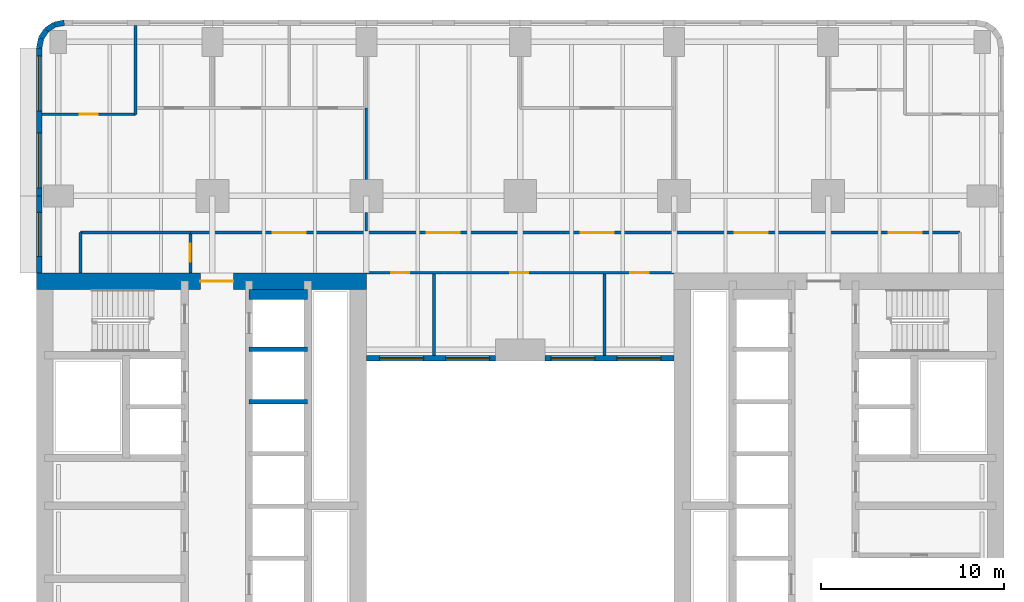
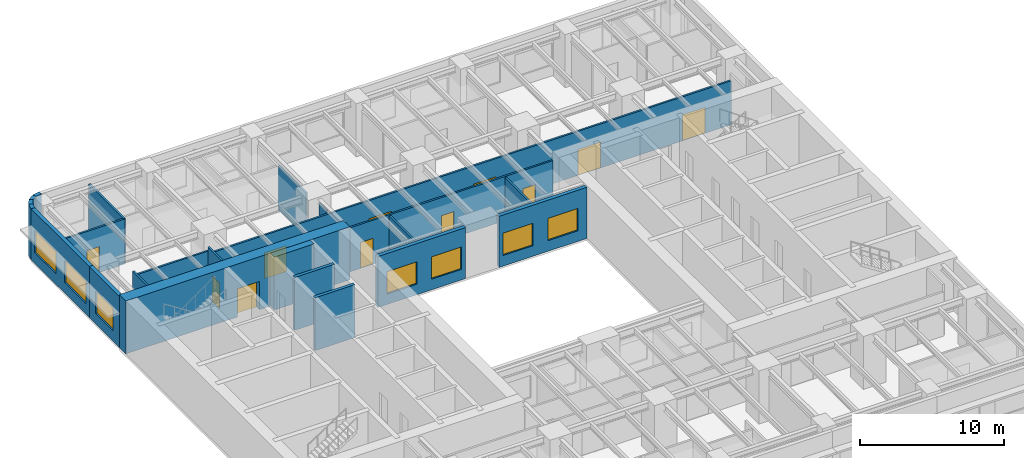
# One storey, part 6 of 12: 23 walls, 11 doors, 7 windows, 18 openings.
"""IFC4 building model written with IfcOpenShell, lengths in metres."""

from ifc_helpers import new_model, si_unit, direction, frame, frame_2d, origin, place, context, subcontext, project, spatial, rectangle, extrude, material, layer, layer_set, type_object, element, fill, save


model = new_model("IFC4")

# Units and contexts
model_context = context("Model", 3, precision=1e-05, world=origin(), true_north=direction((0.0, 1.0)))
body_context = subcontext(model_context, "Body", "Model", "MODEL_VIEW")
ifc_project = project(units=[si_unit("LENGTHUNIT", "METRE"), si_unit("AREAUNIT", "SQUARE_METRE"), si_unit("VOLUMEUNIT", "CUBIC_METRE"), si_unit("PLANEANGLEUNIT", "RADIAN"), si_unit("MASSUNIT", "GRAM", prefix="KILO")], contexts=[model_context])

# Site, building, storey
site_placement = place(None, origin())
site = spatial("IfcSite", under=ifc_project, at=site_placement, CompositionType="ELEMENT")
building_placement = place(site_placement, origin())
building = spatial("IfcBuilding", under=site, at=building_placement, Name="Claustro Exchange Tower", CompositionType="ELEMENT")
storey_placement = place(building_placement, frame((0.0, 0.0, 81.89990234375)))
storey = spatial("IfcBuildingStorey", under=building, at=storey_placement, Name="L18", CompositionType="ELEMENT", Elevation=81.89990234375)

# Wall, opening, door
ifc_material_1 = material(Name="Gypsum board on steel studs", Category="steel")
ifc_layer_1 = layer(ifc_material_1, 0.14990234375)
ifc_layer_set_1 = layer_set([ifc_layer_1], Name="Gypsum board on steel studs")
wall_type_1 = type_object("IfcWallType", Name="P1 150 plasterboard partition", PredefinedType="PARTITIONING", material=ifc_layer_set_1)
wall_1_placement = place(storey_placement, frame((-0.902099609375, 46.449951171875, 0.0), z_axis=(0.0, 0.0, 1.0), x_axis=(1.0, 0.0, 0.0)))
wall_1 = element("IfcWall", 1, at=wall_1_placement, inside=storey, type_object=wall_type_1, Name="Partition P1 L18", PredefinedType="PARTITIONING", context=body_context, shape_type="SweptSolid", body=[
    extrude(rectangle(XDim=5.10205078125, YDim=0.14990234375, at=frame_2d((2.551025390625, 0.0))), origin(), (0.0, 0.0, 1.0), 3.840087890625),
])
opening_1_placement = place(wall_1_placement, frame((2.052001953125, 0.0, 0.0)))
opening_1 = element("IfcOpeningElement", 2, at=opening_1_placement, cuts=wall_1, Name="Opening D1", PredefinedType="OPENING", context=body_context, shape_type="SweptSolid", body=[
    extrude(rectangle(XDim=1.0, YDim=2.199951171875, at=frame_2d((0.5, 1.10009765625))), frame((0.0, 0.0849609375, 0.0), z_axis=(0.0, -1.0, 0.0), x_axis=(1.0, 0.0, 0.0)), (0.0, 0.0, 1.0), 0.169921875),
])
ifc_material_2 = material(Name="Timber door, oak veneer", Category="wood")
door_type_1 = type_object("IfcDoorType", Name="D1 1000 x 2200 single door", OperationType="SINGLE_SWING_LEFT", PredefinedType="DOOR", material=ifc_material_2)
door_1_placement = place(opening_1_placement, origin())
door_1 = element("IfcDoor", 3, at=door_1_placement, inside=storey, type_object=door_type_1, Name="Door D1 L18", OperationType="SINGLE_SWING_RIGHT", OverallHeight=2.199951171875, OverallWidth=1.0, PredefinedType="DOOR", context=body_context, shape_type="SweptSolid", body=[
    extrude(rectangle(XDim=1.0, YDim=2.199951171875, at=frame_2d((0.5, 1.10009765625))), frame((0.0, 0.02490234375, 0.0), z_axis=(0.0, -1.0, 0.0), x_axis=(1.0, 0.0, 0.0)), (0.0, 0.0, 1.0), 0.050048828125),
])
fill(opening_1, door_1)

# Walls
wall_2_placement = place(storey_placement, frame((4.199951171875, 46.449951171875, 0.0), z_axis=(0.0, 0.0, 1.0), x_axis=(0.0, 1.0, 0.0)))
element("IfcWall", 4, at=wall_2_placement, inside=storey, type_object=wall_type_1, Name="Partition P1 L18", PredefinedType="PARTITIONING", context=body_context, shape_type="SweptSolid", body=[
    extrude(rectangle(XDim=4.85205078125, YDim=0.14990234375, at=frame_2d((2.426025390625, 0.0))), origin(), (0.0, 0.0, 1.0), 3.840087890625),
])
wall_3_placement = place(storey_placement, frame((16.800048828125, 40.073974609375, 0.0), z_axis=(0.0, 0.0, 1.0), x_axis=(0.0, 1.0, 0.0)))
element("IfcWall", 5, at=wall_3_placement, inside=storey, type_object=wall_type_1, Name="Partition P1 L18", PredefinedType="PARTITIONING", context=body_context, shape_type="SweptSolid", body=[
    extrude(rectangle(XDim=1.027099609375, YDim=0.14990234375, at=frame_2d((0.513671875, 0.0))), origin(), (0.0, 0.0, 1.0), 3.97998046875),
])
wall_4_placement = place(storey_placement, frame((16.800048828125, 42.89892578125, 0.0), z_axis=(0.0, 0.0, 1.0), x_axis=(0.0, 1.0, 0.0)))
element("IfcWall", 6, at=wall_4_placement, inside=storey, type_object=wall_type_1, Name="Partition P1 L18", PredefinedType="PARTITIONING", context=body_context, shape_type="SweptSolid", body=[
    extrude(rectangle(XDim=3.903076171875, YDim=0.14990234375, at=frame_2d((1.95166015625, 0.0))), origin(), (0.0, 0.0, 1.0), 3.739990234375),
])

# Wall, openings, doors
wall_5_placement = place(storey_placement, frame((7.197998046875, 40.0, 0.0), z_axis=(0.0, 0.0, 1.0), x_axis=(1.0, 0.0, 0.0)))
wall_5 = element("IfcWall", 7, at=wall_5_placement, inside=storey, type_object=wall_type_1, Name="Partition P1 L18", PredefinedType="PARTITIONING", context=body_context, shape_type="SweptSolid", body=[
    extrude(rectangle(XDim=42.001953125, YDim=0.14990234375, at=frame_2d((21.0009765625, 0.0))), origin(), (0.0, 0.0, 1.0), 3.739990234375),
])
opening_2_placement = place(wall_5_placement, frame((4.501953125, 0.0, 0.0)))
opening_2 = element("IfcOpeningElement", 8, at=opening_2_placement, cuts=wall_5, Name="Opening D2", PredefinedType="OPENING", context=body_context, shape_type="SweptSolid", body=[
    extrude(rectangle(XDim=1.800048828125, YDim=2.199951171875, at=frame_2d((0.89990234375, 1.10009765625))), frame((0.0, 0.0849609375, 0.0), z_axis=(0.0, -1.0, 0.0), x_axis=(1.0, 0.0, 0.0)), (0.0, 0.0, 1.0), 0.169921875),
])
opening_3_placement = place(wall_5_placement, frame((12.902099609375, 0.0, 0.0)))
opening_3 = element("IfcOpeningElement", 9, at=opening_3_placement, cuts=wall_5, Name="Opening D2", PredefinedType="OPENING", context=body_context, shape_type="SweptSolid", body=[
    extrude(rectangle(XDim=1.800048828125, YDim=2.199951171875, at=frame_2d((0.89990234375, 1.10009765625))), frame((0.0, 0.0849609375, 0.0), z_axis=(0.0, -1.0, 0.0), x_axis=(1.0, 0.0, 0.0)), (0.0, 0.0, 1.0), 0.169921875),
])
opening_4_placement = place(wall_5_placement, frame((21.302001953125, 0.0, 0.0)))
opening_4 = element("IfcOpeningElement", 10, at=opening_4_placement, cuts=wall_5, Name="Opening D2", PredefinedType="OPENING", context=body_context, shape_type="SweptSolid", body=[
    extrude(rectangle(XDim=1.800048828125, YDim=2.199951171875, at=frame_2d((0.89990234375, 1.10009765625))), frame((0.0, 0.0849609375, 0.0), z_axis=(0.0, -1.0, 0.0), x_axis=(1.0, 0.0, 0.0)), (0.0, 0.0, 1.0), 0.169921875),
])
opening_5_placement = place(wall_5_placement, frame((29.701904296875, 0.0, 0.0)))
opening_5 = element("IfcOpeningElement", 11, at=opening_5_placement, cuts=wall_5, Name="Opening D2", PredefinedType="OPENING", context=body_context, shape_type="SweptSolid", body=[
    extrude(rectangle(XDim=1.800048828125, YDim=2.199951171875, at=frame_2d((0.89990234375, 1.10009765625))), frame((0.0, 0.0849609375, 0.0), z_axis=(0.0, -1.0, 0.0), x_axis=(1.0, 0.0, 0.0)), (0.0, 0.0, 1.0), 0.169921875),
])
opening_6_placement = place(wall_5_placement, frame((38.10205078125, 0.0, 0.0)))
opening_6 = element("IfcOpeningElement", 12, at=opening_6_placement, cuts=wall_5, Name="Opening D2", PredefinedType="OPENING", context=body_context, shape_type="SweptSolid", body=[
    extrude(rectangle(XDim=1.800048828125, YDim=2.199951171875, at=frame_2d((0.89990234375, 1.10009765625))), frame((0.0, 0.0849609375, 0.0), z_axis=(0.0, -1.0, 0.0), x_axis=(1.0, 0.0, 0.0)), (0.0, 0.0, 1.0), 0.169921875),
])
ifc_material_3 = material(Name="Timber door, oak veneer", Category="wood")
door_type_2 = type_object("IfcDoorType", Name="D2 1800 x 2200 double door", OperationType="DOUBLE_DOOR_SINGLE_SWING", PredefinedType="DOOR", material=ifc_material_3)
door_2_placement = place(opening_2_placement, origin())
door_2 = element("IfcDoor", 13, at=door_2_placement, inside=storey, type_object=door_type_2, Name="Double door D2 L18", OperationType="DOUBLE_DOOR_SINGLE_SWING", OverallHeight=2.199951171875, OverallWidth=1.800048828125, PredefinedType="DOOR", context=body_context, shape_type="SweptSolid", body=[
    extrude(rectangle(XDim=1.800048828125, YDim=2.199951171875, at=frame_2d((0.89990234375, 1.10009765625))), frame((0.0, 0.02490234375, 0.0), z_axis=(0.0, -1.0, 0.0), x_axis=(1.0, 0.0, 0.0)), (0.0, 0.0, 1.0), 0.050048828125),
])
fill(opening_2, door_2)
door_3_placement = place(opening_3_placement, origin())
door_3 = element("IfcDoor", 14, at=door_3_placement, inside=storey, type_object=door_type_2, Name="Double door D2 L18", OperationType="DOUBLE_DOOR_SINGLE_SWING", OverallHeight=2.199951171875, OverallWidth=1.800048828125, PredefinedType="DOOR", context=body_context, shape_type="SweptSolid", body=[
    extrude(rectangle(XDim=1.800048828125, YDim=2.199951171875, at=frame_2d((0.89990234375, 1.10009765625))), frame((0.0, 0.02490234375, 0.0), z_axis=(0.0, -1.0, 0.0), x_axis=(1.0, 0.0, 0.0)), (0.0, 0.0, 1.0), 0.050048828125),
])
fill(opening_3, door_3)
door_4_placement = place(opening_4_placement, origin())
door_4 = element("IfcDoor", 15, at=door_4_placement, inside=storey, type_object=door_type_2, Name="Double door D2 L18", OperationType="DOUBLE_DOOR_SINGLE_SWING", OverallHeight=2.199951171875, OverallWidth=1.800048828125, PredefinedType="DOOR", context=body_context, shape_type="SweptSolid", body=[
    extrude(rectangle(XDim=1.800048828125, YDim=2.199951171875, at=frame_2d((0.89990234375, 1.10009765625))), frame((0.0, 0.02490234375, 0.0), z_axis=(0.0, -1.0, 0.0), x_axis=(1.0, 0.0, 0.0)), (0.0, 0.0, 1.0), 0.050048828125),
])
fill(opening_4, door_4)
door_5_placement = place(opening_5_placement, origin())
door_5 = element("IfcDoor", 16, at=door_5_placement, inside=storey, type_object=door_type_2, Name="Double door D2 L18", OperationType="DOUBLE_DOOR_SINGLE_SWING", OverallHeight=2.199951171875, OverallWidth=1.800048828125, PredefinedType="DOOR", context=body_context, shape_type="SweptSolid", body=[
    extrude(rectangle(XDim=1.800048828125, YDim=2.199951171875, at=frame_2d((0.89990234375, 1.10009765625))), frame((0.0, 0.02490234375, 0.0), z_axis=(0.0, -1.0, 0.0), x_axis=(1.0, 0.0, 0.0)), (0.0, 0.0, 1.0), 0.050048828125),
])
fill(opening_5, door_5)
door_6_placement = place(opening_6_placement, origin())
door_6 = element("IfcDoor", 17, at=door_6_placement, inside=storey, type_object=door_type_2, Name="Double door D2 L18", OperationType="DOUBLE_DOOR_SINGLE_SWING", OverallHeight=2.199951171875, OverallWidth=1.800048828125, PredefinedType="DOOR", context=body_context, shape_type="SweptSolid", body=[
    extrude(rectangle(XDim=1.800048828125, YDim=2.199951171875, at=frame_2d((0.89990234375, 1.10009765625))), frame((0.0, 0.02490234375, 0.0), z_axis=(0.0, -1.0, 0.0), x_axis=(1.0, 0.0, 0.0)), (0.0, 0.0, 1.0), 0.050048828125),
])
fill(opening_6, door_6)

# Wall, opening, door
wall_6_placement = place(storey_placement, frame((7.199951171875, 37.800048828125, 0.0), z_axis=(0.0, 0.0, 1.0), x_axis=(0.0, 1.0, 0.0)))
wall_6 = element("IfcWall", 18, at=wall_6_placement, inside=storey, type_object=wall_type_1, Name="Partition P1 L18", PredefinedType="PARTITIONING", context=body_context, shape_type="SweptSolid", body=[
    extrude(rectangle(XDim=2.1259765625, YDim=0.14990234375, at=frame_2d((1.06298828125, 0.0))), origin(), (0.0, 0.0, 1.0), 4.340087890625),
])
opening_7_placement = place(wall_6_placement, frame((0.60009765625, 0.0, 0.0)))
opening_7 = element("IfcOpeningElement", 19, at=opening_7_placement, cuts=wall_6, Name="Opening D1", PredefinedType="OPENING", context=body_context, shape_type="SweptSolid", body=[
    extrude(rectangle(XDim=1.0, YDim=2.199951171875, at=frame_2d((0.5, 1.10009765625))), frame((0.0, 0.0849609375, 0.0), z_axis=(0.0, -1.0, 0.0), x_axis=(1.0, 0.0, 0.0)), (0.0, 0.0, 1.0), 0.169921875),
])
door_7_placement = place(opening_7_placement, origin())
door_7 = element("IfcDoor", 20, at=door_7_placement, inside=storey, type_object=door_type_1, Name="Door D1 L18", OperationType="SINGLE_SWING_LEFT", OverallHeight=2.199951171875, OverallWidth=1.0, PredefinedType="DOOR", context=body_context, shape_type="SweptSolid", body=[
    extrude(rectangle(XDim=1.0, YDim=2.199951171875, at=frame_2d((0.5, 1.10009765625))), frame((0.0, 0.02490234375, 0.0), z_axis=(0.0, -1.0, 0.0), x_axis=(1.0, 0.0, 0.0)), (0.0, 0.0, 1.0), 0.050048828125),
])
fill(opening_7, door_7)

# Walls
wall_7_placement = place(storey_placement, frame((1.199951171875, 40.0, 0.0), z_axis=(0.0, 0.0, 1.0), x_axis=(1.0, 0.0, 0.0)))
element("IfcWall", 21, at=wall_7_placement, inside=storey, type_object=wall_type_1, Name="Partition P1 L18", PredefinedType="PARTITIONING", context=body_context, shape_type="SweptSolid", body=[
    extrude(rectangle(XDim=6.001953125, YDim=0.14990234375, at=frame_2d((3.0009765625, 0.0))), origin(), (0.0, 0.0, 1.0), 3.97998046875),
])
wall_8_placement = place(storey_placement, frame((1.199951171875, 37.800048828125, 0.0), z_axis=(0.0, 0.0, 1.0), x_axis=(0.0, 1.0, 0.0)))
element("IfcWall", 22, at=wall_8_placement, inside=storey, type_object=wall_type_1, Name="Partition P1 L18", PredefinedType="PARTITIONING", context=body_context, shape_type="SweptSolid", body=[
    extrude(rectangle(XDim=2.199951171875, YDim=0.14990234375, at=frame_2d((1.10009765625, 0.0))), origin(), (0.0, 0.0, 1.0), 4.340087890625),
])
for number, where, z_axis, x_axis, name in (
    (23, (20.5, 33.298095703125, 0.0), (0.0, 0.0, 1.0), (0.0, 1.0, 0.0), "Partition P1 L18"),
    (24, (29.800048828125, 33.298095703125, 0.0), (0.0, 0.0, 1.0), (0.0, 1.0, 0.0), "Partition P1 L18"),
):
    element("IfcWall", number, at=place(storey_placement, frame(where, z_axis=z_axis, x_axis=x_axis)), inside=storey, type_object=wall_type_1, Name=name, PredefinedType="PARTITIONING", context=body_context, shape_type="SweptSolid", body=[
        extrude(rectangle(XDim=4.427978515625, YDim=0.14990234375, at=frame_2d((2.2138671875, 0.0))), origin(), (0.0, 0.0, 1.0), 3.650146484375),
    ])

# Wall, openings, doors
wall_9_placement = place(storey_placement, frame((16.798095703125, 37.800048828125, 0.0), z_axis=(0.0, 0.0, 1.0), x_axis=(1.0, 0.0, 0.0)))
wall_9 = element("IfcWall", 25, at=wall_9_placement, inside=storey, type_object=wall_type_1, Name="Partition P1 L18", PredefinedType="PARTITIONING", context=body_context, shape_type="SweptSolid", body=[
    extrude(rectangle(XDim=16.803955078125, YDim=0.14990234375, at=frame_2d((8.40185546875, 0.0))), origin(), (0.0, 0.0, 1.0), 3.739990234375),
])
opening_8_placement = place(wall_9_placement, frame((1.35205078125, 0.0, 0.0)))
opening_8 = element("IfcOpeningElement", 26, at=opening_8_placement, cuts=wall_9, Name="Opening D1", PredefinedType="OPENING", context=body_context, shape_type="SweptSolid", body=[
    extrude(rectangle(XDim=1.0, YDim=2.199951171875, at=frame_2d((0.5, 1.10009765625))), frame((0.0, 0.0849609375, 0.0), z_axis=(0.0, -1.0, 0.0), x_axis=(1.0, 0.0, 0.0)), (0.0, 0.0, 1.0), 0.169921875),
])
opening_9_placement = place(wall_9_placement, frame((7.85205078125, 0.0, 0.0)))
opening_9 = element("IfcOpeningElement", 27, at=opening_9_placement, cuts=wall_9, Name="Opening D1", PredefinedType="OPENING", context=body_context, shape_type="SweptSolid", body=[
    extrude(rectangle(XDim=1.0, YDim=2.199951171875, at=frame_2d((0.5, 1.10009765625))), frame((0.0, 0.0849609375, 0.0), z_axis=(0.0, -1.0, 0.0), x_axis=(1.0, 0.0, 0.0)), (0.0, 0.0, 1.0), 0.169921875),
])
opening_10_placement = place(wall_9_placement, frame((14.402099609375, 0.0, 0.0)))
opening_10 = element("IfcOpeningElement", 28, at=opening_10_placement, cuts=wall_9, Name="Opening D1", PredefinedType="OPENING", context=body_context, shape_type="SweptSolid", body=[
    extrude(rectangle(XDim=1.0, YDim=2.199951171875, at=frame_2d((0.5, 1.10009765625))), frame((0.0, 0.0849609375, 0.0), z_axis=(0.0, -1.0, 0.0), x_axis=(1.0, 0.0, 0.0)), (0.0, 0.0, 1.0), 0.169921875),
])
door_8_placement = place(opening_8_placement, frame((1.0, 0.0, 0.0), z_axis=(0.0, 0.0, 1.0), x_axis=(-1.0, 0.0, 0.0)))
door_8 = element("IfcDoor", 29, at=door_8_placement, inside=storey, type_object=door_type_1, Name="Door D1 L18", OperationType="SINGLE_SWING_RIGHT", OverallHeight=2.199951171875, OverallWidth=1.0, PredefinedType="DOOR", context=body_context, shape_type="SweptSolid", body=[
    extrude(rectangle(XDim=1.0, YDim=2.199951171875, at=frame_2d((0.5, 1.10009765625))), frame((0.0, 0.02490234375, 0.0), z_axis=(0.0, -1.0, 0.0), x_axis=(1.0, 0.0, 0.0)), (0.0, 0.0, 1.0), 0.050048828125),
])
fill(opening_8, door_8)
door_9_placement = place(opening_9_placement, frame((1.0, 0.0, 0.0), z_axis=(0.0, 0.0, 1.0), x_axis=(-1.0, 0.0, 0.0)))
door_9 = element("IfcDoor", 30, at=door_9_placement, inside=storey, type_object=door_type_1, Name="Door D1 L18", OperationType="SINGLE_SWING_RIGHT", OverallHeight=2.199951171875, OverallWidth=1.0, PredefinedType="DOOR", context=body_context, shape_type="SweptSolid", body=[
    extrude(rectangle(XDim=1.0, YDim=2.199951171875, at=frame_2d((0.5, 1.10009765625))), frame((0.0, 0.02490234375, 0.0), z_axis=(0.0, -1.0, 0.0), x_axis=(1.0, 0.0, 0.0)), (0.0, 0.0, 1.0), 0.050048828125),
])
fill(opening_9, door_9)
door_10_placement = place(opening_10_placement, frame((1.0, 0.0, 0.0), z_axis=(0.0, 0.0, 1.0), x_axis=(-1.0, 0.0, 0.0)))
door_10 = element("IfcDoor", 31, at=door_10_placement, inside=storey, type_object=door_type_1, Name="Door D1 L18", OperationType="SINGLE_SWING_RIGHT", OverallHeight=2.199951171875, OverallWidth=1.0, PredefinedType="DOOR", context=body_context, shape_type="SweptSolid", body=[
    extrude(rectangle(XDim=1.0, YDim=2.199951171875, at=frame_2d((0.5, 1.10009765625))), frame((0.0, 0.02490234375, 0.0), z_axis=(0.0, -1.0, 0.0), x_axis=(1.0, 0.0, 0.0)), (0.0, 0.0, 1.0), 0.050048828125),
])
fill(opening_10, door_10)

# Wall, opening, window
ifc_material_4 = material(Name="Concrete HA-40 (C40/50), precast, white cement, acid-etched", Category="concrete")
ifc_layer_2 = layer(ifc_material_4, 0.300048828125)
ifc_layer_set_2 = layer_set([ifc_layer_2], Name="Concrete HA-40 (C40/50), precast, white cement, acid-etched")
wall_type_2 = type_object("IfcWallType", Name="PC1 300 precast concrete pier panel", PredefinedType="SOLIDWALL", material=ifc_layer_set_2)
wall_10_placement = place(storey_placement, frame((-1.050048828125, 37.800048828125, 0.0), z_axis=(0.0, 0.0, 1.0), x_axis=(0.0, 1.0, 0.0)))
wall_10 = element("IfcWall", 32, at=wall_10_placement, inside=storey, type_object=wall_type_2, Name="Precast pier panel PC1 L18", PredefinedType="SOLIDWALL", context=body_context, shape_type="SweptSolid", body=[
    extrude(rectangle(XDim=4.199951171875, YDim=0.300048828125, at=frame_2d((2.10009765625, 0.0))), origin(), (0.0, 0.0, 1.0), 4.340087890625),
])
opening_11_placement = place(wall_10_placement, frame((0.89990234375, 0.0, 0.89990234375)))
opening_11 = element("IfcOpeningElement", 33, at=opening_11_placement, cuts=wall_10, Name="Opening W2", PredefinedType="OPENING", context=body_context, shape_type="SweptSolid", body=[
    extrude(rectangle(XDim=2.39990234375, YDim=1.89990234375, at=frame_2d((1.199951171875, 0.949951171875))), frame((0.0, 0.159912109375, 0.0), z_axis=(0.0, -1.0, 0.0), x_axis=(1.0, 0.0, 0.0)), (0.0, 0.0, 1.0), 0.320068359375),
])
ifc_material_5 = material(Name="Aluminium frame, clear double glazing", Category="aluminium")
window_type_1 = type_object("IfcWindowType", Name="W2 2400 x 1900 window", PartitioningType="SINGLE_PANEL", PredefinedType="WINDOW", material=ifc_material_5)
window_1_placement = place(opening_11_placement, origin())
window_1 = element("IfcWindow", 34, at=window_1_placement, inside=storey, type_object=window_type_1, Name="Window W2 L18", OverallHeight=1.89990234375, OverallWidth=2.39990234375, PartitioningType="SINGLE_PANEL", PredefinedType="WINDOW", context=body_context, shape_type="SweptSolid", body=[
    extrude(rectangle(XDim=2.39990234375, YDim=1.89990234375, at=frame_2d((1.199951171875, 0.949951171875))), frame((0.0, 0.030029296875, 0.0), z_axis=(0.0, -1.0, 0.0), x_axis=(1.0, 0.0, 0.0)), (0.0, 0.0, 1.0), 0.06005859375),
])
fill(opening_11, window_1)

# Wall, openings, windows
wall_11_placement = place(storey_placement, frame((-1.050048828125, 42.0, 0.0), z_axis=(0.0, 0.0, 1.0), x_axis=(0.0, 1.0, 0.0)))
wall_11 = element("IfcWall", 35, at=wall_11_placement, inside=storey, type_object=wall_type_2, Name="Precast pier panel PC1 L18", PredefinedType="SOLIDWALL", context=body_context, shape_type="SweptSolid", body=[
    extrude(rectangle(XDim=8.085205078125, YDim=0.300048828125, at=frame_2d((4.04248046875, 0.0))), origin(), (0.0, 0.0, 1.0), 4.340087890625),
])
opening_12_placement = place(wall_11_placement, frame((0.442626953125, 0.0, 0.89990234375)))
opening_12 = element("IfcOpeningElement", 36, at=opening_12_placement, cuts=wall_11, Name="Opening W1", PredefinedType="OPENING", context=body_context, shape_type="SweptSolid", body=[
    extrude(rectangle(XDim=3.0, YDim=1.89990234375, at=frame_2d((1.5, 0.949951171875))), frame((0.0, 0.159912109375, 0.0), z_axis=(0.0, -1.0, 0.0), x_axis=(1.0, 0.0, 0.0)), (0.0, 0.0, 1.0), 0.320068359375),
])
opening_13_placement = place(wall_11_placement, frame((4.642578125, 0.0, 0.89990234375)))
opening_13 = element("IfcOpeningElement", 37, at=opening_13_placement, cuts=wall_11, Name="Opening W1", PredefinedType="OPENING", context=body_context, shape_type="SweptSolid", body=[
    extrude(rectangle(XDim=3.0, YDim=1.89990234375, at=frame_2d((1.5, 0.949951171875))), frame((0.0, 0.159912109375, 0.0), z_axis=(0.0, -1.0, 0.0), x_axis=(1.0, 0.0, 0.0)), (0.0, 0.0, 1.0), 0.320068359375),
])
ifc_material_6 = material(Name="Aluminium frame, clear double glazing", Category="aluminium")
window_type_2 = type_object("IfcWindowType", Name="W1 3000 x 1900 window", PartitioningType="SINGLE_PANEL", PredefinedType="WINDOW", material=ifc_material_6)
window_2_placement = place(opening_12_placement, origin())
window_2 = element("IfcWindow", 38, at=window_2_placement, inside=storey, type_object=window_type_2, Name="Window W1 L18", OverallHeight=1.89990234375, OverallWidth=3.0, PartitioningType="SINGLE_PANEL", PredefinedType="WINDOW", context=body_context, shape_type="SweptSolid", body=[
    extrude(rectangle(XDim=3.0, YDim=1.89990234375, at=frame_2d((1.5, 0.949951171875))), frame((0.0, 0.030029296875, 0.0), z_axis=(0.0, -1.0, 0.0), x_axis=(1.0, 0.0, 0.0)), (0.0, 0.0, 1.0), 0.06005859375),
])
fill(opening_12, window_2)
window_3_placement = place(opening_13_placement, origin())
window_3 = element("IfcWindow", 39, at=window_3_placement, inside=storey, type_object=window_type_2, Name="Window W1 L18", OverallHeight=1.89990234375, OverallWidth=3.0, PartitioningType="SINGLE_PANEL", PredefinedType="WINDOW", context=body_context, shape_type="SweptSolid", body=[
    extrude(rectangle(XDim=3.0, YDim=1.89990234375, at=frame_2d((1.5, 0.949951171875))), frame((0.0, 0.030029296875, 0.0), z_axis=(0.0, -1.0, 0.0), x_axis=(1.0, 0.0, 0.0)), (0.0, 0.0, 1.0), 0.06005859375),
])
fill(opening_13, window_3)

# Walls
wall_12_placement = place(storey_placement, frame((-1.050048828125, 50.085205078125, 0.0), z_axis=(0.0, 0.0, 1.0), x_axis=(0.195073962632, 0.980788534345, 0.0)))
element("IfcWall", 40, at=wall_12_placement, inside=storey, type_object=wall_type_2, Name="Precast pier panel PC1 L18", PredefinedType="SOLIDWALL", context=body_context, shape_type="SweptSolid", body=[
    extrude(rectangle(XDim=0.540771484375, YDim=0.300048828125, at=frame_2d((0.2705078125, 0.0))), origin(), (0.0, 0.0, 1.0), 4.340087890625),
])
for number, where, z_axis, x_axis, name in (
    (41, (-0.944580078125, 50.615478515625, 0.0), (0.0, 0.0, 1.0), (0.555557463938, 0.831478144188, 0.0), "Precast pier panel PC1 L18"),
    (42, (-0.652587890625, 51.052490234375, 0.0), (0.0, 0.0, 1.0), (0.831478144188, 0.555557463938, 0.0), "Precast pier panel PC1 L18"),
):
    element("IfcWall", number, at=place(storey_placement, frame(where, z_axis=z_axis, x_axis=x_axis)), inside=storey, type_object=wall_type_2, Name=name, PredefinedType="SOLIDWALL", context=body_context, shape_type="SweptSolid", body=[
        extrude(rectangle(XDim=0.525634765625, YDim=0.300048828125, at=frame_2d((0.2626953125, 0.0))), origin(), (0.0, 0.0, 1.0), 4.340087890625),
    ])
wall_13_placement = place(storey_placement, frame((-0.215576171875, 51.344482421875, 0.0), z_axis=(0.0, 0.0, 1.0), x_axis=(0.980788534345, 0.195073962632, 0.0)))
element("IfcWall", 43, at=wall_13_placement, inside=storey, type_object=wall_type_2, Name="Precast pier panel PC1 L18", PredefinedType="SOLIDWALL", context=body_context, shape_type="SweptSolid", body=[
    extrude(rectangle(XDim=0.540771484375, YDim=0.300048828125, at=frame_2d((0.2705078125, 0.0))), origin(), (0.0, 0.0, 1.0), 4.340087890625),
])

# Wall, openings, windows
wall_14_placement = place(storey_placement, frame((16.800048828125, 33.14990234375, 0.0), z_axis=(0.0, 0.0, 1.0), x_axis=(1.0, 0.0, 0.0)))
wall_14 = element("IfcWall", 44, at=wall_14_placement, inside=storey, type_object=wall_type_2, Name="Precast pier panel PC1 L18", PredefinedType="SOLIDWALL", context=body_context, shape_type="SweptSolid", body=[
    extrude(rectangle(XDim=7.050048828125, YDim=0.300048828125, at=frame_2d((3.52490234375, 0.0))), origin(), (0.0, 0.0, 1.0), 4.340087890625),
])
opening_14_placement = place(wall_14_placement, frame((0.72509765625, 0.0, 0.89990234375)))
opening_14 = element("IfcOpeningElement", 45, at=opening_14_placement, cuts=wall_14, Name="Opening W2", PredefinedType="OPENING", context=body_context, shape_type="SweptSolid", body=[
    extrude(rectangle(XDim=2.39990234375, YDim=1.89990234375, at=frame_2d((1.199951171875, 0.949951171875))), frame((0.0, 0.159912109375, 0.0), z_axis=(0.0, -1.0, 0.0), x_axis=(1.0, 0.0, 0.0)), (0.0, 0.0, 1.0), 0.320068359375),
])
opening_15_placement = place(wall_14_placement, frame((4.324951171875, 0.0, 0.89990234375)))
opening_15 = element("IfcOpeningElement", 46, at=opening_15_placement, cuts=wall_14, Name="Opening W2", PredefinedType="OPENING", context=body_context, shape_type="SweptSolid", body=[
    extrude(rectangle(XDim=2.39990234375, YDim=1.89990234375, at=frame_2d((1.199951171875, 0.949951171875))), frame((0.0, 0.159912109375, 0.0), z_axis=(0.0, -1.0, 0.0), x_axis=(1.0, 0.0, 0.0)), (0.0, 0.0, 1.0), 0.320068359375),
])
window_4_placement = place(opening_14_placement, origin())
window_4 = element("IfcWindow", 47, at=window_4_placement, inside=storey, type_object=window_type_1, Name="Window W2 L18", OverallHeight=1.89990234375, OverallWidth=2.39990234375, PartitioningType="SINGLE_PANEL", PredefinedType="WINDOW", context=body_context, shape_type="SweptSolid", body=[
    extrude(rectangle(XDim=2.39990234375, YDim=1.89990234375, at=frame_2d((1.199951171875, 0.949951171875))), frame((0.0, 0.030029296875, 0.0), z_axis=(0.0, -1.0, 0.0), x_axis=(1.0, 0.0, 0.0)), (0.0, 0.0, 1.0), 0.06005859375),
])
fill(opening_14, window_4)
window_5_placement = place(opening_15_placement, origin())
window_5 = element("IfcWindow", 48, at=window_5_placement, inside=storey, type_object=window_type_1, Name="Window W2 L18", OverallHeight=1.89990234375, OverallWidth=2.39990234375, PartitioningType="SINGLE_PANEL", PredefinedType="WINDOW", context=body_context, shape_type="SweptSolid", body=[
    extrude(rectangle(XDim=2.39990234375, YDim=1.89990234375, at=frame_2d((1.199951171875, 0.949951171875))), frame((0.0, 0.030029296875, 0.0), z_axis=(0.0, -1.0, 0.0), x_axis=(1.0, 0.0, 0.0)), (0.0, 0.0, 1.0), 0.06005859375),
])
fill(opening_15, window_5)

wall_15_placement = place(storey_placement, frame((26.550048828125, 33.14990234375, 0.0), z_axis=(0.0, 0.0, 1.0), x_axis=(1.0, 0.0, 0.0)))
wall_15 = element("IfcWall", 49, at=wall_15_placement, inside=storey, type_object=wall_type_2, Name="Precast pier panel PC1 L18", PredefinedType="SOLIDWALL", context=body_context, shape_type="SweptSolid", body=[
    extrude(rectangle(XDim=7.050048828125, YDim=0.300048828125, at=frame_2d((3.52490234375, 0.0))), origin(), (0.0, 0.0, 1.0), 4.340087890625),
])
opening_16_placement = place(wall_15_placement, frame((0.324951171875, 0.0, 0.89990234375)))
opening_16 = element("IfcOpeningElement", 50, at=opening_16_placement, cuts=wall_15, Name="Opening W2", PredefinedType="OPENING", context=body_context, shape_type="SweptSolid", body=[
    extrude(rectangle(XDim=2.39990234375, YDim=1.89990234375, at=frame_2d((1.199951171875, 0.949951171875))), frame((0.0, 0.159912109375, 0.0), z_axis=(0.0, -1.0, 0.0), x_axis=(1.0, 0.0, 0.0)), (0.0, 0.0, 1.0), 0.320068359375),
])
opening_17_placement = place(wall_15_placement, frame((3.925048828125, 0.0, 0.89990234375)))
opening_17 = element("IfcOpeningElement", 51, at=opening_17_placement, cuts=wall_15, Name="Opening W2", PredefinedType="OPENING", context=body_context, shape_type="SweptSolid", body=[
    extrude(rectangle(XDim=2.39990234375, YDim=1.89990234375, at=frame_2d((1.199951171875, 0.949951171875))), frame((0.0, 0.159912109375, 0.0), z_axis=(0.0, -1.0, 0.0), x_axis=(1.0, 0.0, 0.0)), (0.0, 0.0, 1.0), 0.320068359375),
])
window_6_placement = place(opening_16_placement, origin())
window_6 = element("IfcWindow", 52, at=window_6_placement, inside=storey, type_object=window_type_1, Name="Window W2 L18", OverallHeight=1.89990234375, OverallWidth=2.39990234375, PartitioningType="SINGLE_PANEL", PredefinedType="WINDOW", context=body_context, shape_type="SweptSolid", body=[
    extrude(rectangle(XDim=2.39990234375, YDim=1.89990234375, at=frame_2d((1.199951171875, 0.949951171875))), frame((0.0, 0.030029296875, 0.0), z_axis=(0.0, -1.0, 0.0), x_axis=(1.0, 0.0, 0.0)), (0.0, 0.0, 1.0), 0.06005859375),
])
fill(opening_16, window_6)
window_7_placement = place(opening_17_placement, origin())
window_7 = element("IfcWindow", 53, at=window_7_placement, inside=storey, type_object=window_type_1, Name="Window W2 L18", OverallHeight=1.89990234375, OverallWidth=2.39990234375, PartitioningType="SINGLE_PANEL", PredefinedType="WINDOW", context=body_context, shape_type="SweptSolid", body=[
    extrude(rectangle(XDim=2.39990234375, YDim=1.89990234375, at=frame_2d((1.199951171875, 0.949951171875))), frame((0.0, 0.030029296875, 0.0), z_axis=(0.0, -1.0, 0.0), x_axis=(1.0, 0.0, 0.0)), (0.0, 0.0, 1.0), 0.06005859375),
])
fill(opening_17, window_7)

# Wall, opening, door
ifc_material_7 = material(Name="Concrete HA-70 (C70/85)", Category="concrete")
ifc_layer_3 = layer(ifc_material_7, 0.89990234375)
ifc_layer_set_3 = layer_set([ifc_layer_3], Name="Concrete HA-70 (C70/85)")
wall_type_3 = type_object("IfcWallType", Name="SW1 900 core shear wall", PredefinedType="SHEAR", material=ifc_layer_set_3)
wall_16_placement = place(storey_placement, frame((-1.199951171875, 37.35009765625, 0.0), z_axis=(0.0, 0.0, 1.0), x_axis=(1.0, 0.0, 0.0)))
wall_16 = element("IfcWall", 54, at=wall_16_placement, inside=storey, type_object=wall_type_3, Name="Core wall SW1 W core N face L18", PredefinedType="SHEAR", context=body_context, shape_type="SweptSolid", body=[
    extrude(rectangle(XDim=18.0, YDim=0.89990234375, at=frame_2d((9.0, 0.0))), origin(), (0.0, 0.0, 1.0), 4.5),
])
opening_18_placement = place(wall_16_placement, frame((8.949951171875, 0.0, 0.0)))
opening_18 = element("IfcOpeningElement", 55, at=opening_18_placement, cuts=wall_16, Name="Opening D3", PredefinedType="OPENING", context=body_context, shape_type="SweptSolid", body=[
    extrude(rectangle(XDim=1.800048828125, YDim=2.39990234375, at=frame_2d((0.89990234375, 1.199951171875))), frame((0.0, 0.4599609375, 0.0), z_axis=(0.0, -1.0, 0.0), x_axis=(1.0, 0.0, 0.0)), (0.0, 0.0, 1.0), 0.919921875),
])
ifc_material_8 = material(Name="Steel fire door, painted", Category="steel")
door_type_3 = type_object("IfcDoorType", Name="D3 1800 x 2400 fire-rated lobby double door", OperationType="DOUBLE_DOOR_SINGLE_SWING", PredefinedType="DOOR", material=ifc_material_8)
door_11_placement = place(opening_18_placement, frame((1.800048828125, 0.0, 0.0), z_axis=(0.0, 0.0, 1.0), x_axis=(-1.0, 0.0, 0.0)))
door_11 = element("IfcDoor", 56, at=door_11_placement, inside=storey, type_object=door_type_3, Name="Lift lobby door D3 L18", OperationType="DOUBLE_DOOR_SINGLE_SWING", OverallHeight=2.39990234375, OverallWidth=1.800048828125, PredefinedType="DOOR", context=body_context, shape_type="SweptSolid", body=[
    extrude(rectangle(XDim=1.800048828125, YDim=2.39990234375, at=frame_2d((0.89990234375, 1.199951171875))), frame((0.0, 0.02490234375, 0.0), z_axis=(0.0, -1.0, 0.0), x_axis=(1.0, 0.0, 0.0)), (0.0, 0.0, 1.0), 0.050048828125),
])
fill(opening_18, door_11)

# Walls
ifc_material_9 = material(Name="Concrete HA-50 (C50/60)", Category="concrete")
ifc_layer_4 = layer(ifc_material_9, 0.25)
ifc_layer_set_4 = layer_set([ifc_layer_4], Name="Concrete HA-50 (C50/60)")
wall_type_4 = type_object("IfcWallType", Name="SW5 250 lift shaft divider wall", PredefinedType="SHEAR", material=ifc_layer_set_4)
for number, where, z_axis, x_axis, name in (
    (57, (10.39990234375, 30.77490234375, 0.0), (0.0, 0.0, 1.0), (1.0, 0.0, 0.0), "Lift shaft wall W core L18"),
    (58, (10.39990234375, 33.625, 0.0), (0.0, 0.0, 1.0), (1.0, 0.0, 0.0), "Lift shaft wall W core L18"),
):
    element("IfcWall", number, at=place(storey_placement, frame(where, z_axis=z_axis, x_axis=x_axis)), inside=storey, type_object=wall_type_4, Name=name, PredefinedType="SHEAR", context=body_context, shape_type="SweptSolid", body=[
        extrude(rectangle(XDim=3.2001953125, YDim=0.25, at=frame_2d((1.60009765625, 0.0))), origin(), (0.0, 0.0, 1.0), 4.5),
    ])
ifc_material_10 = material(Name="Concrete HA-50 (C50/60)", Category="concrete")
ifc_layer_5 = layer(ifc_material_10, 0.550048828125)
ifc_layer_set_5 = layer_set([ifc_layer_5], Name="Concrete HA-50 (C50/60)")
wall_type_5 = type_object("IfcWallType", Name="SW6 550 lift shaft end wall", PredefinedType="SHEAR", material=ifc_layer_set_5)
wall_17_placement = place(storey_placement, frame((10.39990234375, 36.625, 0.0), z_axis=(0.0, 0.0, 1.0), x_axis=(1.0, 0.0, 0.0)))
element("IfcWall", 59, at=wall_17_placement, inside=storey, type_object=wall_type_5, Name="Lift shaft wall W core L18", PredefinedType="SHEAR", context=body_context, shape_type="SweptSolid", body=[
    extrude(rectangle(XDim=3.2001953125, YDim=0.550048828125, at=frame_2d((1.60009765625, 0.0))), origin(), (0.0, 0.0, 1.0), 4.5),
])

save(model, "model.ifc")
